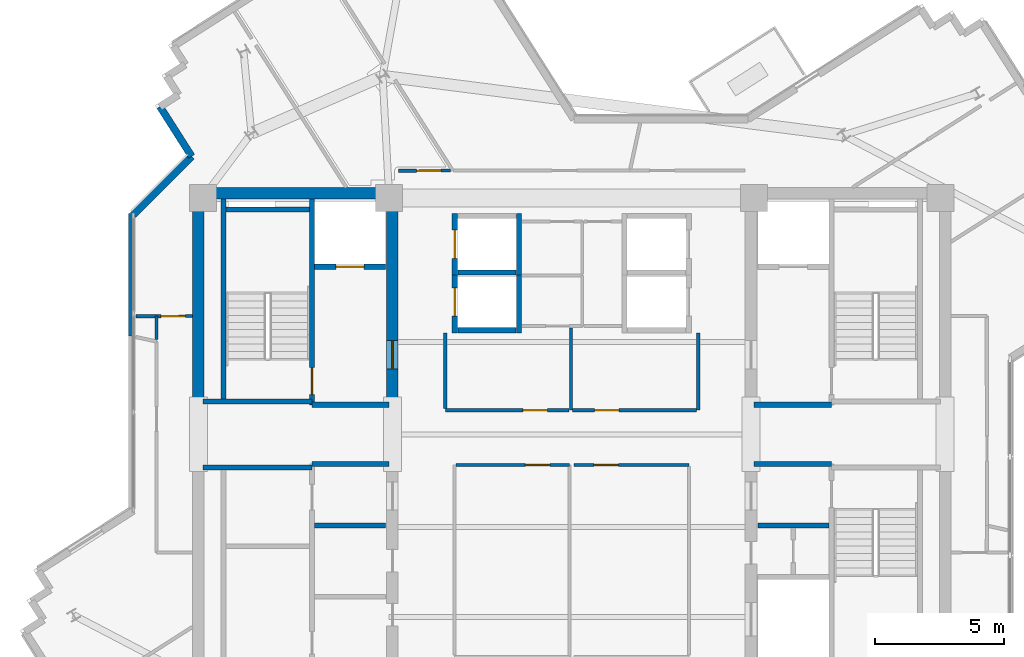
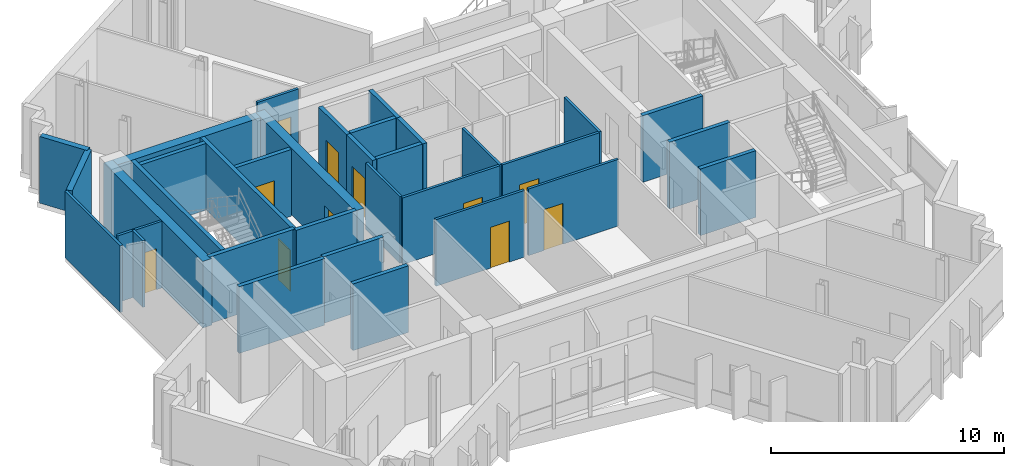
# One storey, part 6 of 12: 34 walls, 11 doors, 11 openings.
"""IFC4 building model written with IfcOpenShell, lengths in metres."""

from ifc_helpers import new_model, si_unit, direction, frame, frame_2d, origin, place, context, subcontext, project, spatial, rectangle, extrude, source, transform, mapped, material, layer, layer_set, type_object, element, fill, save


model = new_model("IFC4")

# Units and contexts
model_context = context("Model", 3, precision=1e-05, world=origin(), true_north=direction((0.0, 1.0)))
body_context = subcontext(model_context, "Body", "Model", "MODEL_VIEW")
ifc_project = project(units=[si_unit("LENGTHUNIT", "METRE"), si_unit("AREAUNIT", "SQUARE_METRE"), si_unit("VOLUMEUNIT", "CUBIC_METRE"), si_unit("PLANEANGLEUNIT", "RADIAN"), si_unit("MASSUNIT", "GRAM", prefix="KILO")], contexts=[model_context])

# Site, building, storey
site_placement = place(None, origin())
site = spatial("IfcSite", under=ifc_project, at=site_placement, CompositionType="ELEMENT")
building_placement = place(site_placement, origin())
building = spatial("IfcBuilding", under=site, at=building_placement, Name="Zahravan Cultural Tower", CompositionType="ELEMENT")
storey_placement = place(building_placement, frame((0.0, 0.0, 261.60009765625)))
storey = spatial("IfcBuildingStorey", under=building, at=storey_placement, Name="L62", CompositionType="ELEMENT", Elevation=261.60009765625)

# Wall, opening, door
ifc_material_1 = material(Name="Concrete C50/60", Category="concrete")
ifc_layer_1 = layer(ifc_material_1, 0.449951171875)
ifc_layer_set_1 = layer_set([ifc_layer_1], Name="Concrete C50/60")
wall_type_1 = type_object("IfcWallType", Name="CW-SHEAR-450-C50", PredefinedType="SHEAR", material=ifc_layer_set_1)
wall_1_placement = place(storey_placement, frame((29.02490234375, 28.050048828125, 0.0), z_axis=(0.0, 0.0, 1.0), x_axis=(0.0, 1.0, 0.0)))
wall_1 = element("IfcWall", 1, at=wall_1_placement, inside=storey, type_object=wall_type_1, Name="L62 Core Shear Wall CW-W-EN-L62", PredefinedType="SHEAR", context=body_context, shape_type="SweptSolid", body=[
    extrude(rectangle(XDim=8.550048828125, YDim=0.449951171875, at=frame_2d((4.27490234375, 0.0))), origin(), (0.0, 0.0, 1.0), 3.5),
])
opening_1_placement = place(wall_1_placement, frame((1.5, 0.0, 0.0)))
opening_1 = element("IfcOpeningElement", 2, at=opening_1_placement, cuts=wall_1, Name="Opening D-L62-06", PredefinedType="OPENING", context=body_context, shape_type="SweptSolid", body=[
    extrude(rectangle(XDim=1.10009765625, YDim=2.199951171875, at=frame_2d((0.550048828125, 1.10009765625))), frame((0.0, 0.23486328125, 0.0), z_axis=(0.0, -1.0, 0.0), x_axis=(1.0, 0.0, 0.0)), (0.0, 0.0, 1.0), 0.469970703125),
])
ifc_material_2 = material(Name="Steel ASTM A572 Grade 50", Category="steel")
door_type_1 = type_object("IfcDoorType", Name="DR-LOBBY-1100", OperationType="NOTDEFINED", PredefinedType="DOOR", material=ifc_material_2)
shared_shape_1 = source(origin(), body_context, "Body", "SweptSolid", [
    extrude(rectangle(XDim=1.10009765625, YDim=2.199951171875, at=frame_2d((0.550048828125, 1.10009765625))), frame((0.0, 0.02490234375, 0.0), z_axis=(0.0, -1.0, 0.0), x_axis=(1.0, 0.0, 0.0)), (0.0, 0.0, 1.0), 0.050048828125),
])
door_1_placement = place(opening_1_placement, origin())
door_1 = element("IfcDoor", 3, at=door_1_placement, inside=storey, type_object=door_type_1, Name="L62 Door D-L62-06", OperationType="SINGLE_SWING_RIGHT", OverallHeight=2.199951171875, OverallWidth=1.10009765625, PredefinedType="DOOR", context=body_context, shape_type="MappedRepresentation", body=[
    mapped(shared_shape_1, transform((0.0, 0.0, 0.0), x_axis=(1.0, 0.0, 0.0), y_axis=(0.0, 1.0, 0.0), z_axis=(0.0, 0.0, 1.0), scale=1.0)),
])
fill(opening_1, door_1)

ifc_material_3 = material(Name="Gypsum plasterboard partition")
ifc_layer_2 = layer(ifc_material_3, 0.125)
ifc_layer_set_2 = layer_set([ifc_layer_2], Name="Gypsum plasterboard partition")
wall_type_2 = type_object("IfcWallType", Name="W-PART-125", PredefinedType="PARTITIONING", material=ifc_layer_set_2)
wall_2_placement = place(storey_placement, frame((35.902587890625, 27.93994140625, 0.0), z_axis=(0.0, 0.0, 1.0), x_axis=(-1.0, 0.0, 0.0)))
wall_2 = element("IfcWall", 4, at=wall_2_placement, inside=storey, type_object=wall_type_2, Name="L62 Interior Wall 051", PredefinedType="PARTITIONING", context=body_context, shape_type="SweptSolid", body=[
    extrude(rectangle(XDim=4.822509765625, YDim=0.125, at=frame_2d((2.4111328125, 0.0))), origin(), (0.0, 0.0, 1.0), 3.5),
])
opening_2_placement = place(wall_2_placement, frame((0.85205078125, 0.0, 0.0)))
opening_2 = element("IfcOpeningElement", 5, at=opening_2_placement, cuts=wall_2, Name="Opening D-L62-18", PredefinedType="OPENING", context=body_context, shape_type="SweptSolid", body=[
    extrude(rectangle(XDim=0.949951171875, YDim=2.14990234375, at=frame_2d((0.47509765625, 1.074951171875))), frame((0.0, 0.072509765625, 0.0), z_axis=(0.0, -1.0, 0.0), x_axis=(1.0, 0.0, 0.0)), (0.0, 0.0, 1.0), 0.14501953125),
])
ifc_material_4 = material(Name="Anodised bronze-aluminium mullion", Category="aluminium")
door_type_2 = type_object("IfcDoorType", Name="DR-ROOM-950", OperationType="NOTDEFINED", PredefinedType="DOOR", material=ifc_material_4)
shared_shape_2 = source(origin(), body_context, "Body", "SweptSolid", [
    extrude(rectangle(XDim=0.949951171875, YDim=2.14990234375, at=frame_2d((0.47509765625, 1.074951171875))), frame((0.0, 0.02490234375, 0.0), z_axis=(0.0, -1.0, 0.0), x_axis=(1.0, 0.0, 0.0)), (0.0, 0.0, 1.0), 0.050048828125),
])
door_2_placement = place(opening_2_placement, origin())
door_2 = element("IfcDoor", 6, at=door_2_placement, inside=storey, type_object=door_type_2, Name="L62 Door D-L62-18", OperationType="SINGLE_SWING_RIGHT", OverallHeight=2.14990234375, OverallWidth=0.949951171875, PredefinedType="DOOR", context=body_context, shape_type="MappedRepresentation", body=[
    mapped(shared_shape_2, transform((0.0, 0.0, 0.0), x_axis=(1.0, 0.0, 0.0), y_axis=(0.0, 1.0, 0.0), z_axis=(0.0, 0.0, 1.0), scale=1.0)),
])
fill(opening_2, door_2)

wall_3_placement = place(storey_placement, frame((40.8525390625, 27.93994140625, 0.0), z_axis=(0.0, 0.0, 1.0), x_axis=(-1.0, 0.0, 0.0)))
wall_3 = element("IfcWall", 7, at=wall_3_placement, inside=storey, type_object=wall_type_2, Name="L62 Interior Wall 054", PredefinedType="PARTITIONING", context=body_context, shape_type="SweptSolid", body=[
    extrude(rectangle(XDim=4.81494140625, YDim=0.125, at=frame_2d((2.407470703125, 0.0))), origin(), (0.0, 0.0, 1.0), 3.5),
])
opening_3_placement = place(wall_3_placement, frame((3.0146484375, 0.0, 0.0)))
opening_3 = element("IfcOpeningElement", 8, at=opening_3_placement, cuts=wall_3, Name="Opening D-L62-19", PredefinedType="OPENING", context=body_context, shape_type="SweptSolid", body=[
    extrude(rectangle(XDim=0.949951171875, YDim=2.14990234375, at=frame_2d((0.47509765625, 1.074951171875))), frame((0.0, 0.072509765625, 0.0), z_axis=(0.0, -1.0, 0.0), x_axis=(1.0, 0.0, 0.0)), (0.0, 0.0, 1.0), 0.14501953125),
])
door_3_placement = place(opening_3_placement, origin())
door_3 = element("IfcDoor", 9, at=door_3_placement, inside=storey, type_object=door_type_2, Name="L62 Door D-L62-19", OperationType="SINGLE_SWING_LEFT", OverallHeight=2.14990234375, OverallWidth=0.949951171875, PredefinedType="DOOR", context=body_context, shape_type="MappedRepresentation", body=[
    mapped(shared_shape_2, transform((0.0, 0.0, 0.0), x_axis=(1.0, 0.0, 0.0), y_axis=(0.0, 1.0, 0.0), z_axis=(0.0, 0.0, 1.0), scale=1.0)),
])
fill(opening_3, door_3)

wall_4_placement = place(storey_placement, frame((31.507568359375, 25.81005859375, 0.0), z_axis=(0.0, 0.0, 1.0), x_axis=(1.0, 0.0, 0.0)))
wall_4 = element("IfcWall", 10, at=wall_4_placement, inside=storey, type_object=wall_type_2, Name="L62 Interior Wall 071", PredefinedType="PARTITIONING", context=body_context, shape_type="SweptSolid", body=[
    extrude(rectangle(XDim=4.40234375, YDim=0.125, at=frame_2d((2.201171875, 0.0))), origin(), (0.0, 0.0, 1.0), 3.5),
])
opening_4_placement = place(wall_4_placement, frame((2.69287109375, 0.0, 0.0)))
opening_4 = element("IfcOpeningElement", 11, at=opening_4_placement, cuts=wall_4, Name="Opening D-L62-14", PredefinedType="OPENING", context=body_context, shape_type="SweptSolid", body=[
    extrude(rectangle(XDim=0.949951171875, YDim=2.14990234375, at=frame_2d((0.47509765625, 1.074951171875))), frame((0.0, 0.072509765625, 0.0), z_axis=(0.0, -1.0, 0.0), x_axis=(1.0, 0.0, 0.0)), (0.0, 0.0, 1.0), 0.14501953125),
])
door_4_placement = place(opening_4_placement, origin())
door_4 = element("IfcDoor", 12, at=door_4_placement, inside=storey, type_object=door_type_2, Name="L62 Door D-L62-14", OperationType="SINGLE_SWING_RIGHT", OverallHeight=2.14990234375, OverallWidth=0.949951171875, PredefinedType="DOOR", context=body_context, shape_type="MappedRepresentation", body=[
    mapped(shared_shape_2, transform((0.0, 0.0, 0.0), x_axis=(1.0, 0.0, 0.0), y_axis=(0.0, 1.0, 0.0), z_axis=(0.0, 0.0, 1.0), scale=1.0)),
])
fill(opening_4, door_4)

wall_5_placement = place(storey_placement, frame((36.090087890625, 25.81005859375, 0.0), z_axis=(0.0, 0.0, 1.0), x_axis=(1.0, 0.0, 0.0)))
wall_5 = element("IfcWall", 13, at=wall_5_placement, inside=storey, type_object=wall_type_2, Name="L62 Interior Wall 074", PredefinedType="PARTITIONING", context=body_context, shape_type="SweptSolid", body=[
    extrude(rectangle(XDim=4.469970703125, YDim=0.125, at=frame_2d((2.23486328125, 0.0))), origin(), (0.0, 0.0, 1.0), 3.5),
])
opening_5_placement = place(wall_5_placement, frame((0.7744140625, 0.0, 0.0)))
opening_5 = element("IfcOpeningElement", 14, at=opening_5_placement, cuts=wall_5, Name="Opening D-L62-15", PredefinedType="OPENING", context=body_context, shape_type="SweptSolid", body=[
    extrude(rectangle(XDim=0.949951171875, YDim=2.14990234375, at=frame_2d((0.47509765625, 1.074951171875))), frame((0.0, 0.072509765625, 0.0), z_axis=(0.0, -1.0, 0.0), x_axis=(1.0, 0.0, 0.0)), (0.0, 0.0, 1.0), 0.14501953125),
])
door_5_placement = place(opening_5_placement, origin())
door_5 = element("IfcDoor", 15, at=door_5_placement, inside=storey, type_object=door_type_2, Name="L62 Door D-L62-15", OperationType="SINGLE_SWING_LEFT", OverallHeight=2.14990234375, OverallWidth=0.949951171875, PredefinedType="DOOR", context=body_context, shape_type="MappedRepresentation", body=[
    mapped(shared_shape_2, transform((0.0, 0.0, 0.0), x_axis=(1.0, 0.0, 0.0), y_axis=(0.0, 1.0, 0.0), z_axis=(0.0, 0.0, 1.0), scale=1.0)),
])
fill(opening_5, door_5)

wall_6_placement = place(storey_placement, frame((31.29248046875, 37.260009765625, 0.0), z_axis=(0.0, 0.0, 1.0), x_axis=(-0.999999820546, -0.000599089277, 0.0)))
wall_6 = element("IfcWall", 16, at=wall_6_placement, inside=storey, type_object=wall_type_2, Name="L62 Interior Wall 077", PredefinedType="PARTITIONING", context=body_context, shape_type="SweptSolid", body=[
    extrude(rectangle(XDim=2.03759765625, YDim=0.125, at=frame_2d((1.018798828125, 0.0))), origin(), (0.0, 0.0, 1.0), 3.5),
])
opening_6_placement = place(wall_6_placement, frame((0.380615234375, 0.0, 0.0)))
opening_6 = element("IfcOpeningElement", 17, at=opening_6_placement, cuts=wall_6, Name="Opening D-L62-23", PredefinedType="OPENING", context=body_context, shape_type="SweptSolid", body=[
    extrude(rectangle(XDim=0.949951171875, YDim=2.14990234375, at=frame_2d((0.47509765625, 1.074951171875))), frame((0.0, 0.072509765625, 0.0), z_axis=(0.0, -1.0, 0.0), x_axis=(1.0, 0.0, 0.0)), (0.0, 0.0, 1.0), 0.14501953125),
])
door_6_placement = place(opening_6_placement, origin())
door_6 = element("IfcDoor", 18, at=door_6_placement, inside=storey, type_object=door_type_2, Name="L62 Door D-L62-23", OperationType="SINGLE_SWING_LEFT", OverallHeight=2.14990234375, OverallWidth=0.949951171875, PredefinedType="DOOR", context=body_context, shape_type="MappedRepresentation", body=[
    mapped(shared_shape_2, transform((0.0, 0.0, 0.0), x_axis=(1.0, 0.0, 0.0), y_axis=(0.0, 1.0, 0.0), z_axis=(0.0, 0.0, 1.0), scale=1.0)),
])
fill(opening_6, door_6)

wall_7_placement = place(storey_placement, frame((21.2451171875, 31.599853515625, 0.0), z_axis=(0.0, 0.0, 1.0), x_axis=(-0.999998798684, -0.001550042425, 0.0)))
wall_7 = element("IfcWall", 19, at=wall_7_placement, inside=storey, type_object=wall_type_2, Name="L62 Interior Wall 089", PredefinedType="PARTITIONING", context=body_context, shape_type="SweptSolid", body=[
    extrude(rectangle(XDim=2.205078125, YDim=0.125, at=frame_2d((1.1025390625, 0.0))), origin(), (0.0, 0.0, 1.0), 3.5),
])
opening_7_placement = place(wall_7_placement, frame((0.276123046875, 0.0, 0.0)))
opening_7 = element("IfcOpeningElement", 20, at=opening_7_placement, cuts=wall_7, Name="Opening D-L62-24", PredefinedType="OPENING", context=body_context, shape_type="SweptSolid", body=[
    extrude(rectangle(XDim=0.949951171875, YDim=2.14990234375, at=frame_2d((0.47509765625, 1.074951171875))), frame((0.0, 0.072509765625, 0.0), z_axis=(0.0, -1.0, 0.0), x_axis=(1.0, 0.0, 0.0)), (0.0, 0.0, 1.0), 0.14501953125),
])
door_7_placement = place(opening_7_placement, origin())
door_7 = element("IfcDoor", 21, at=door_7_placement, inside=storey, type_object=door_type_2, Name="L62 Door D-L62-24", OperationType="SINGLE_SWING_RIGHT", OverallHeight=2.14990234375, OverallWidth=0.949951171875, PredefinedType="DOOR", context=body_context, shape_type="MappedRepresentation", body=[
    mapped(shared_shape_2, transform((0.0, 0.0, 0.0), x_axis=(1.0, 0.0, 0.0), y_axis=(0.0, 1.0, 0.0), z_axis=(0.0, 0.0, 1.0), scale=1.0)),
])
fill(opening_7, door_7)

ifc_material_5 = material(Name="Concrete C45/55", Category="concrete")
ifc_layer_3 = layer(ifc_material_5, 0.199951171875)
ifc_layer_set_3 = layer_set([ifc_layer_3], Name="Concrete C45/55")
wall_type_3 = type_object("IfcWallType", Name="W-SHAFT-200", PredefinedType="SOLIDWALL", material=ifc_layer_set_3)
wall_8_placement = place(storey_placement, frame((25.89990234375, 28.14990234375, 0.0), z_axis=(0.0, 0.0, 1.0), x_axis=(0.0, 1.0, 0.0)))
wall_8 = element("IfcWall", 22, at=wall_8_placement, inside=storey, type_object=wall_type_3, Name="L62 Interior Wall 006", PredefinedType="SOLIDWALL", context=body_context, shape_type="SweptSolid", body=[
    extrude(rectangle(XDim=8.0, YDim=0.199951171875, at=frame_2d((4.0, 0.0))), origin(), (0.0, 0.0, 1.0), 3.5),
])
opening_8_placement = place(wall_8_placement, frame((0.39990234375, 0.0, 0.0)))
opening_8 = element("IfcOpeningElement", 23, at=opening_8_placement, cuts=wall_8, Name="Opening D-L62-01", PredefinedType="OPENING", context=body_context, shape_type="SweptSolid", body=[
    extrude(rectangle(XDim=1.050048828125, YDim=2.14990234375, at=frame_2d((0.52490234375, 1.074951171875))), frame((0.0, 0.10986328125, 0.0), z_axis=(0.0, -1.0, 0.0), x_axis=(1.0, 0.0, 0.0)), (0.0, 0.0, 1.0), 0.219970703125),
])
door_type_3 = type_object("IfcDoorType", Name="DR-STAIR-1050", OperationType="NOTDEFINED", PredefinedType="DOOR", material=ifc_material_2)
shared_shape_3 = source(origin(), body_context, "Body", "SweptSolid", [
    extrude(rectangle(XDim=1.050048828125, YDim=2.14990234375, at=frame_2d((0.52490234375, 1.074951171875))), frame((0.0, 0.02490234375, 0.0), z_axis=(0.0, -1.0, 0.0), x_axis=(1.0, 0.0, 0.0)), (0.0, 0.0, 1.0), 0.050048828125),
])
door_8_placement = place(opening_8_placement, origin())
door_8 = element("IfcDoor", 24, at=door_8_placement, inside=storey, type_object=door_type_3, Name="L62 Door D-L62-01", OperationType="SINGLE_SWING_LEFT", OverallHeight=2.14990234375, OverallWidth=1.050048828125, PredefinedType="DOOR", context=body_context, shape_type="MappedRepresentation", body=[
    mapped(shared_shape_3, transform((0.0, 0.0, 0.0), x_axis=(1.0, 0.0, 0.0), y_axis=(0.0, 1.0, 0.0), z_axis=(0.0, 0.0, 1.0), scale=1.0)),
])
fill(opening_8, door_8)

wall_9_placement = place(storey_placement, frame((26.0, 33.52001953125, 0.0), z_axis=(0.0, 0.0, 1.0), x_axis=(1.0, 0.0, 0.0)))
wall_9 = element("IfcWall", 25, at=wall_9_placement, inside=storey, type_object=wall_type_3, Name="L62 Interior Wall 022", PredefinedType="SOLIDWALL", context=body_context, shape_type="SweptSolid", body=[
    extrude(rectangle(XDim=2.75, YDim=0.199951171875, at=frame_2d((1.375, 0.0))), origin(), (0.0, 0.0, 1.0), 3.5),
])
opening_9_placement = place(wall_9_placement, frame((0.820068359375, 0.0, 0.0)))
opening_9 = element("IfcOpeningElement", 26, at=opening_9_placement, cuts=wall_9, Name="Opening LD-L62-01", PredefinedType="OPENING", context=body_context, shape_type="SweptSolid", body=[
    extrude(rectangle(XDim=1.10009765625, YDim=2.14990234375, at=frame_2d((0.550048828125, 1.074951171875))), frame((0.0, 0.10986328125, 0.0), z_axis=(0.0, -1.0, 0.0), x_axis=(1.0, 0.0, 0.0)), (0.0, 0.0, 1.0), 0.219970703125),
])
door_type_4 = type_object("IfcDoorType", Name="DR-LIFT-1100", OperationType="DOUBLE_DOOR_SLIDING", PredefinedType="DOOR", material=ifc_material_2)
shared_shape_4 = source(origin(), body_context, "Body", "SweptSolid", [
    extrude(rectangle(XDim=1.10009765625, YDim=2.14990234375, at=frame_2d((0.550048828125, 1.074951171875))), frame((0.0, 0.02490234375, 0.0), z_axis=(0.0, -1.0, 0.0), x_axis=(1.0, 0.0, 0.0)), (0.0, 0.0, 1.0), 0.050048828125),
])
door_9_placement = place(opening_9_placement, origin())
door_9 = element("IfcDoor", 27, at=door_9_placement, inside=storey, type_object=door_type_4, Name="L62 Door LD-L62-01", OperationType="DOUBLE_DOOR_SLIDING", OverallHeight=2.14990234375, OverallWidth=1.10009765625, PredefinedType="DOOR", context=body_context, shape_type="MappedRepresentation", body=[
    mapped(shared_shape_4, transform((0.0, 0.0, 0.0), x_axis=(1.0, 0.0, 0.0), y_axis=(0.0, 1.0, 0.0), z_axis=(0.0, 0.0, 1.0), scale=1.0)),
])
fill(opening_9, door_9)

wall_10_placement = place(storey_placement, frame((31.449951171875, 33.199951171875, 0.0), z_axis=(0.0, 0.0, 1.0), x_axis=(0.0, 1.0, 0.0)))
wall_10 = element("IfcWall", 28, at=wall_10_placement, inside=storey, type_object=wall_type_3, Name="L62 Interior Wall 029", PredefinedType="SOLIDWALL", context=body_context, shape_type="SweptSolid", body=[
    extrude(rectangle(XDim=2.400146484375, YDim=0.199951171875, at=frame_2d((1.2001953125, 0.0))), origin(), (0.0, 0.0, 1.0), 3.5),
])
opening_10_placement = place(wall_10_placement, frame((0.64990234375, 0.0, 0.0)))
opening_10 = element("IfcOpeningElement", 29, at=opening_10_placement, cuts=wall_10, Name="Opening LD-L62-04", PredefinedType="OPENING", context=body_context, shape_type="SweptSolid", body=[
    extrude(rectangle(XDim=1.10009765625, YDim=2.14990234375, at=frame_2d((0.550048828125, 1.074951171875))), frame((0.0, 0.10986328125, 0.0), z_axis=(0.0, -1.0, 0.0), x_axis=(1.0, 0.0, 0.0)), (0.0, 0.0, 1.0), 0.219970703125),
])
door_10_placement = place(opening_10_placement, origin())
door_10 = element("IfcDoor", 30, at=door_10_placement, inside=storey, type_object=door_type_4, Name="L62 Door LD-L62-04", OperationType="DOUBLE_DOOR_SLIDING", OverallHeight=2.14990234375, OverallWidth=1.10009765625, PredefinedType="DOOR", context=body_context, shape_type="MappedRepresentation", body=[
    mapped(shared_shape_4, transform((0.0, 0.0, 0.0), x_axis=(1.0, 0.0, 0.0), y_axis=(0.0, 1.0, 0.0), z_axis=(0.0, 0.0, 1.0), scale=1.0)),
])
fill(opening_10, door_10)

wall_11_placement = place(storey_placement, frame((31.449951171875, 30.949951171875, 0.0), z_axis=(0.0, 0.0, 1.0), x_axis=(0.0, 1.0, 0.0)))
wall_11 = element("IfcWall", 31, at=wall_11_placement, inside=storey, type_object=wall_type_3, Name="L62 Interior Wall 033", PredefinedType="SOLIDWALL", context=body_context, shape_type="SweptSolid", body=[
    extrude(rectangle(XDim=2.400146484375, YDim=0.199951171875, at=frame_2d((1.2001953125, 0.0))), origin(), (0.0, 0.0, 1.0), 3.5),
])
opening_11_placement = place(wall_11_placement, frame((0.64990234375, 0.0, 0.0)))
opening_11 = element("IfcOpeningElement", 32, at=opening_11_placement, cuts=wall_11, Name="Opening LD-L62-05", PredefinedType="OPENING", context=body_context, shape_type="SweptSolid", body=[
    extrude(rectangle(XDim=1.10009765625, YDim=2.14990234375, at=frame_2d((0.550048828125, 1.074951171875))), frame((0.0, 0.10986328125, 0.0), z_axis=(0.0, -1.0, 0.0), x_axis=(1.0, 0.0, 0.0)), (0.0, 0.0, 1.0), 0.219970703125),
])
door_11_placement = place(opening_11_placement, origin())
door_11 = element("IfcDoor", 33, at=door_11_placement, inside=storey, type_object=door_type_4, Name="L62 Door LD-L62-05", OperationType="DOUBLE_DOOR_SLIDING", OverallHeight=2.14990234375, OverallWidth=1.10009765625, PredefinedType="DOOR", context=body_context, shape_type="MappedRepresentation", body=[
    mapped(shared_shape_4, transform((0.0, 0.0, 0.0), x_axis=(1.0, 0.0, 0.0), y_axis=(0.0, 1.0, 0.0), z_axis=(0.0, 0.0, 1.0), scale=1.0)),
])
fill(opening_11, door_11)

# Walls
shared_shape_5 = source(origin(), body_context, "Body", "SweptSolid", [
    extrude(rectangle(XDim=8.550048828125, YDim=0.449951171875, at=frame_2d((4.27490234375, 0.0))), origin(), (0.0, 0.0, 1.0), 3.5),
])
wall_12_placement = place(storey_placement, frame((21.47509765625, 28.050048828125, 0.0), z_axis=(0.0, 0.0, 1.0), x_axis=(0.0, 1.0, 0.0)))
element("IfcWall", 34, at=wall_12_placement, inside=storey, type_object=wall_type_1, Name="L62 Core Shear Wall CW-W-WN-L62", PredefinedType="SHEAR", context=body_context, shape_type="MappedRepresentation", body=[
    mapped(shared_shape_5, transform((0.0, 0.0, 0.0), x_axis=(1.0, 0.0, 0.0), y_axis=(0.0, 1.0, 0.0), z_axis=(0.0, 0.0, 1.0), scale=1.0)),
])
shared_shape_6 = source(origin(), body_context, "Body", "SweptSolid", [
    extrude(rectangle(XDim=7.10009765625, YDim=0.449951171875, at=frame_2d((3.550048828125, 0.0))), origin(), (0.0, 0.0, 1.0), 3.5),
])
wall_13_placement = place(storey_placement, frame((21.699951171875, 36.375, 0.0), z_axis=(0.0, 0.0, 1.0), x_axis=(1.0, 0.0, 0.0)))
element("IfcWall", 35, at=wall_13_placement, inside=storey, type_object=wall_type_1, Name="L62 Core Shear Wall CW-W-N-L62", PredefinedType="SHEAR", context=body_context, shape_type="MappedRepresentation", body=[
    mapped(shared_shape_6, transform((0.0, 0.0, 0.0), x_axis=(1.0, 0.0, 0.0), y_axis=(0.0, 1.0, 0.0), z_axis=(0.0, 0.0, 1.0), scale=1.0)),
])
ifc_material_6 = material(Name="Precast concrete C40/50", Category="concrete")
ifc_layer_4 = layer(ifc_material_6, 0.280029296875)
ifc_layer_set_4 = layer_set([ifc_layer_4], Name="Precast concrete C40/50")
wall_type_4 = type_object("IfcWallType", Name="EW-TC-280", PredefinedType="SOLIDWALL", material=ifc_layer_set_4)
shared_shape_7 = source(origin(), body_context, "Body", "SweptSolid", [
    extrude(rectangle(XDim=3.21484375, YDim=0.280029296875, at=frame_2d((1.607421875, 0.0))), origin(), (0.0, 0.0, 1.0), 3.5),
])
wall_14_placement = place(storey_placement, frame((18.93994140625, 35.5419921875, 0.0), z_axis=(0.0, 0.0, 1.0), x_axis=(0.707106781187, 0.707106781187, 0.0)))
element("IfcWall", 36, at=wall_14_placement, inside=storey, type_object=wall_type_4, Name="L62 Exterior Masonry Frame Wall 36", PredefinedType="SOLIDWALL", context=body_context, shape_type="MappedRepresentation", body=[
    mapped(shared_shape_7, transform((0.0, 0.0, 0.0), x_axis=(1.0, 0.0, 0.0), y_axis=(0.0, 1.0, 0.0), z_axis=(0.0, 0.0, 1.0), scale=1.0)),
])
shared_shape_8 = source(origin(), body_context, "Body", "SweptSolid", [
    extrude(rectangle(XDim=2.29345703125, YDim=0.280029296875, at=frame_2d((1.146728515625, 0.0))), origin(), (0.0, 0.0, 1.0), 3.5),
])
wall_15_placement = place(storey_placement, frame((21.213134765625, 37.815185546875, 0.0), z_axis=(0.0, 0.0, 1.0), x_axis=(-0.53726116654, 0.843415934713, 0.0)))
element("IfcWall", 37, at=wall_15_placement, inside=storey, type_object=wall_type_4, Name="L62 Exterior Masonry Frame Wall 37", PredefinedType="SOLIDWALL", context=body_context, shape_type="MappedRepresentation", body=[
    mapped(shared_shape_8, transform((0.0, 0.0, 0.0), x_axis=(1.0, 0.0, 0.0), y_axis=(0.0, 1.0, 0.0), z_axis=(0.0, 0.0, 1.0), scale=1.0)),
])
shared_shape_9 = source(origin(), body_context, "Body", "SweptSolid", [
    extrude(rectangle(XDim=7.869873046875, YDim=0.199951171875, at=frame_2d((3.93505859375, 0.0))), origin(), (0.0, 0.0, 1.0), 3.5),
])
wall_16_placement = place(storey_placement, frame((22.449951171875, 28.280029296875, 0.0), z_axis=(0.0, 0.0, 1.0), x_axis=(0.0, 1.0, 0.0)))
element("IfcWall", 38, at=wall_16_placement, inside=storey, type_object=wall_type_3, Name="L62 Interior Wall 002", PredefinedType="SOLIDWALL", context=body_context, shape_type="MappedRepresentation", body=[
    mapped(shared_shape_9, transform((0.0, 0.0, 0.0), x_axis=(1.0, 0.0, 0.0), y_axis=(0.0, 1.0, 0.0), z_axis=(0.0, 0.0, 1.0), scale=1.0)),
])
shared_shape_10 = source(origin(), body_context, "Body", "SweptSolid", [
    extrude(rectangle(XDim=4.25, YDim=0.199951171875, at=frame_2d((2.125, 0.0))), origin(), (0.0, 0.0, 1.0), 3.5),
])
for number, where, z_axis, x_axis, name in (
    (39, (21.64990234375, 25.715087890625, 0.0), (0.0, 0.0, 1.0), (1.0, 0.0, 0.0), "L62 Interior Wall 009"),
    (40, (21.64990234375, 28.284912109375, 0.0), (0.0, 0.0, 1.0), (1.0, 0.0, 0.0), "L62 Interior Wall 011"),
):
    element("IfcWall", number, at=place(storey_placement, frame(where, z_axis=z_axis, x_axis=x_axis)), inside=storey, type_object=wall_type_3, Name=name, PredefinedType="SOLIDWALL", context=body_context, shape_type="MappedRepresentation", body=[
        mapped(shared_shape_10, transform((0.0, 0.0, 0.0), x_axis=(1.0, 0.0, 0.0), y_axis=(0.0, 1.0, 0.0), z_axis=(0.0, 0.0, 1.0), scale=1.0)),
    ])
shared_shape_11 = source(origin(), body_context, "Body", "SweptSolid", [
    extrude(rectangle(XDim=3.0, YDim=0.199951171875, at=frame_2d((1.5, 0.0))), origin(), (0.0, 0.0, 1.0), 3.5),
])
for number, where, z_axis, x_axis, name in (
    (41, (25.89990234375, 25.85009765625, 0.0), (0.0, 0.0, 1.0), (1.0, 0.0, 0.0), "L62 Interior Wall 010"),
    (42, (25.89990234375, 28.14990234375, 0.0), (0.0, 0.0, 1.0), (1.0, 0.0, 0.0), "L62 Interior Wall 012"),
    (43, (43.10009765625, 25.85009765625, 0.0), (0.0, 0.0, 1.0), (1.0, 0.0, 0.0), "L62 Interior Wall 013"),
    (44, (43.10009765625, 28.14990234375, 0.0), (0.0, 0.0, 1.0), (1.0, 0.0, 0.0), "L62 Interior Wall 015"),
):
    element("IfcWall", number, at=place(storey_placement, frame(where, z_axis=z_axis, x_axis=x_axis)), inside=storey, type_object=wall_type_3, Name=name, PredefinedType="SOLIDWALL", context=body_context, shape_type="MappedRepresentation", body=[
        mapped(shared_shape_11, transform((0.0, 0.0, 0.0), x_axis=(1.0, 0.0, 0.0), y_axis=(0.0, 1.0, 0.0), z_axis=(0.0, 0.0, 1.0), scale=1.0)),
    ])
shared_shape_12 = source(origin(), body_context, "Body", "SweptSolid", [
    extrude(rectangle(XDim=3.25, YDim=0.199951171875, at=frame_2d((1.625, 0.0))), origin(), (0.0, 0.0, 1.0), 3.5),
])
wall_17_placement = place(storey_placement, frame((22.550048828125, 35.75, 0.0), z_axis=(0.0, 0.0, 1.0), x_axis=(1.0, 0.0, 0.0)))
element("IfcWall", 45, at=wall_17_placement, inside=storey, type_object=wall_type_3, Name="L62 Interior Wall 017", PredefinedType="SOLIDWALL", context=body_context, shape_type="MappedRepresentation", body=[
    mapped(shared_shape_12, transform((0.0, 0.0, 0.0), x_axis=(1.0, 0.0, 0.0), y_axis=(0.0, 1.0, 0.0), z_axis=(0.0, 0.0, 1.0), scale=1.0)),
])
shared_shape_13 = source(origin(), body_context, "Body", "SweptSolid", [
    extrude(rectangle(XDim=2.75, YDim=0.199951171875, at=frame_2d((1.375, 0.0))), origin(), (0.0, 0.0, 1.0), 3.5),
])
for number, where, z_axis, x_axis, name in (
    (46, (26.0, 23.449951171875, 0.0), (0.0, 0.0, 1.0), (1.0, 0.0, 0.0), "L62 Interior Wall 024"),
    (47, (43.25, 23.449951171875, 0.0), (0.0, 0.0, 1.0), (1.0, 0.0, 0.0), "L62 Interior Wall 025"),
):
    element("IfcWall", number, at=place(storey_placement, frame(where, z_axis=z_axis, x_axis=x_axis)), inside=storey, type_object=wall_type_3, Name=name, PredefinedType="SOLIDWALL", context=body_context, shape_type="MappedRepresentation", body=[
        mapped(shared_shape_13, transform((0.0, 0.0, 0.0), x_axis=(1.0, 0.0, 0.0), y_axis=(0.0, 1.0, 0.0), z_axis=(0.0, 0.0, 1.0), scale=1.0)),
    ])
shared_shape_14 = source(origin(), body_context, "Body", "SweptSolid", [
    extrude(rectangle(XDim=2.400146484375, YDim=0.199951171875, at=frame_2d((1.2001953125, 0.0))), origin(), (0.0, 0.0, 1.0), 3.5),
])
for number, where, z_axis, x_axis, name in (
    (48, (33.949951171875, 33.199951171875, 0.0), (0.0, 0.0, 1.0), (0.0, 1.0, 0.0), "L62 Interior Wall 030"),
    (49, (33.949951171875, 30.949951171875, 0.0), (0.0, 0.0, 1.0), (0.0, 1.0, 0.0), "L62 Interior Wall 034"),
):
    element("IfcWall", number, at=place(storey_placement, frame(where, z_axis=z_axis, x_axis=x_axis)), inside=storey, type_object=wall_type_3, Name=name, PredefinedType="SOLIDWALL", context=body_context, shape_type="MappedRepresentation", body=[
        mapped(shared_shape_14, transform((0.0, 0.0, 0.0), x_axis=(1.0, 0.0, 0.0), y_axis=(0.0, 1.0, 0.0), z_axis=(0.0, 0.0, 1.0), scale=1.0)),
    ])
shared_shape_15 = source(origin(), body_context, "Body", "SweptSolid", [
    extrude(rectangle(XDim=2.260009765625, YDim=0.199951171875, at=frame_2d((1.1298828125, 0.0))), origin(), (0.0, 0.0, 1.0), 3.5),
])
for number, where, z_axis, x_axis, name in (
    (50, (31.570068359375, 33.300048828125, 0.0), (0.0, 0.0, 1.0), (1.0, 0.0, 0.0), "L62 Interior Wall 031"),
    (51, (31.570068359375, 31.050048828125, 0.0), (0.0, 0.0, 1.0), (1.0, 0.0, 0.0), "L62 Interior Wall 035"),
):
    element("IfcWall", number, at=place(storey_placement, frame(where, z_axis=z_axis, x_axis=x_axis)), inside=storey, type_object=wall_type_3, Name=name, PredefinedType="SOLIDWALL", context=body_context, shape_type="MappedRepresentation", body=[
        mapped(shared_shape_15, transform((0.0, 0.0, 0.0), x_axis=(1.0, 0.0, 0.0), y_axis=(0.0, 1.0, 0.0), z_axis=(0.0, 0.0, 1.0), scale=1.0)),
    ])
shared_shape_16 = source(origin(), body_context, "Body", "SweptSolid", [
    extrude(rectangle(XDim=3.199951171875, YDim=0.125, at=frame_2d((1.60009765625, 0.0))), origin(), (0.0, 0.0, 1.0), 3.5),
])
wall_18_placement = place(storey_placement, frame((35.969970703125, 31.139892578125, 0.0), z_axis=(0.0, 0.0, 1.0), x_axis=(0.0, -1.0, 0.0)))
element("IfcWall", 52, at=wall_18_placement, inside=storey, type_object=wall_type_2, Name="L62 Interior Wall 050", PredefinedType="PARTITIONING", context=body_context, shape_type="MappedRepresentation", body=[
    mapped(shared_shape_16, transform((0.0, 0.0, 0.0), x_axis=(1.0, 0.0, 0.0), y_axis=(0.0, 1.0, 0.0), z_axis=(0.0, 0.0, 1.0), scale=1.0)),
])
shared_shape_17 = source(origin(), body_context, "Body", "SweptSolid", [
    extrude(rectangle(XDim=2.9423828125, YDim=0.125, at=frame_2d((1.47119140625, 0.0))), origin(), (0.0, 0.0, 1.0), 3.5),
])
wall_19_placement = place(storey_placement, frame((31.080078125, 28.007568359375, 0.0), z_axis=(0.0, 0.0, 1.0), x_axis=(0.0, 1.0, 0.0)))
element("IfcWall", 53, at=wall_19_placement, inside=storey, type_object=wall_type_2, Name="L62 Interior Wall 052", PredefinedType="PARTITIONING", context=body_context, shape_type="MappedRepresentation", body=[
    mapped(shared_shape_17, transform((0.0, 0.0, 0.0), x_axis=(1.0, 0.0, 0.0), y_axis=(0.0, 1.0, 0.0), z_axis=(0.0, 0.0, 1.0), scale=1.0)),
])
shared_shape_18 = source(origin(), body_context, "Body", "SweptSolid", [
    extrude(rectangle(XDim=3.010009765625, YDim=0.125, at=frame_2d((1.5048828125, 0.0))), origin(), (0.0, 0.0, 1.0), 3.5),
])
wall_20_placement = place(storey_placement, frame((40.919921875, 30.949951171875, 0.0), z_axis=(0.0, 0.0, 1.0), x_axis=(0.0, -1.0, 0.0)))
element("IfcWall", 54, at=wall_20_placement, inside=storey, type_object=wall_type_2, Name="L62 Interior Wall 053", PredefinedType="PARTITIONING", context=body_context, shape_type="MappedRepresentation", body=[
    mapped(shared_shape_18, transform((0.0, 0.0, 0.0), x_axis=(1.0, 0.0, 0.0), y_axis=(0.0, 1.0, 0.0), z_axis=(0.0, 0.0, 1.0), scale=1.0)),
])
shared_shape_19 = source(origin(), body_context, "Body", "SweptSolid", [
    extrude(rectangle(XDim=0.915771484375, YDim=0.125, at=frame_2d((0.4580078125, 0.0))), origin(), (0.0, 0.0, 1.0), 3.5),
])
wall_21_placement = place(storey_placement, frame((19.851318359375, 31.59765625, 0.0), z_axis=(0.0, 0.0, 1.0), x_axis=(-0.001332976688, -0.999999111586, 0.0)))
element("IfcWall", 55, at=wall_21_placement, inside=storey, type_object=wall_type_2, Name="L62 Interior Wall 087", PredefinedType="PARTITIONING", context=body_context, shape_type="MappedRepresentation", body=[
    mapped(shared_shape_19, transform((0.0, 0.0, 0.0), x_axis=(1.0, 0.0, 0.0), y_axis=(0.0, 1.0, 0.0), z_axis=(0.0, 0.0, 1.0), scale=1.0)),
])
shared_shape_20 = source(origin(), body_context, "Body", "SweptSolid", [
    extrude(rectangle(XDim=4.7568359375, YDim=0.125, at=frame_2d((2.37841796875, 0.0))), origin(), (0.0, 0.0, 1.0), 3.5),
])
wall_22_placement = place(storey_placement, frame((18.820068359375, 30.8349609375, 0.0), z_axis=(0.0, 0.0, 1.0), x_axis=(0.0, 1.0, 0.0)))
element("IfcWall", 56, at=wall_22_placement, inside=storey, type_object=wall_type_2, Name="L62 Interior Wall 088", PredefinedType="PARTITIONING", context=body_context, shape_type="MappedRepresentation", body=[
    mapped(shared_shape_20, transform((0.0, 0.0, 0.0), x_axis=(1.0, 0.0, 0.0), y_axis=(0.0, 1.0, 0.0), z_axis=(0.0, 0.0, 1.0), scale=1.0)),
])

save(model, "model.ifc")
